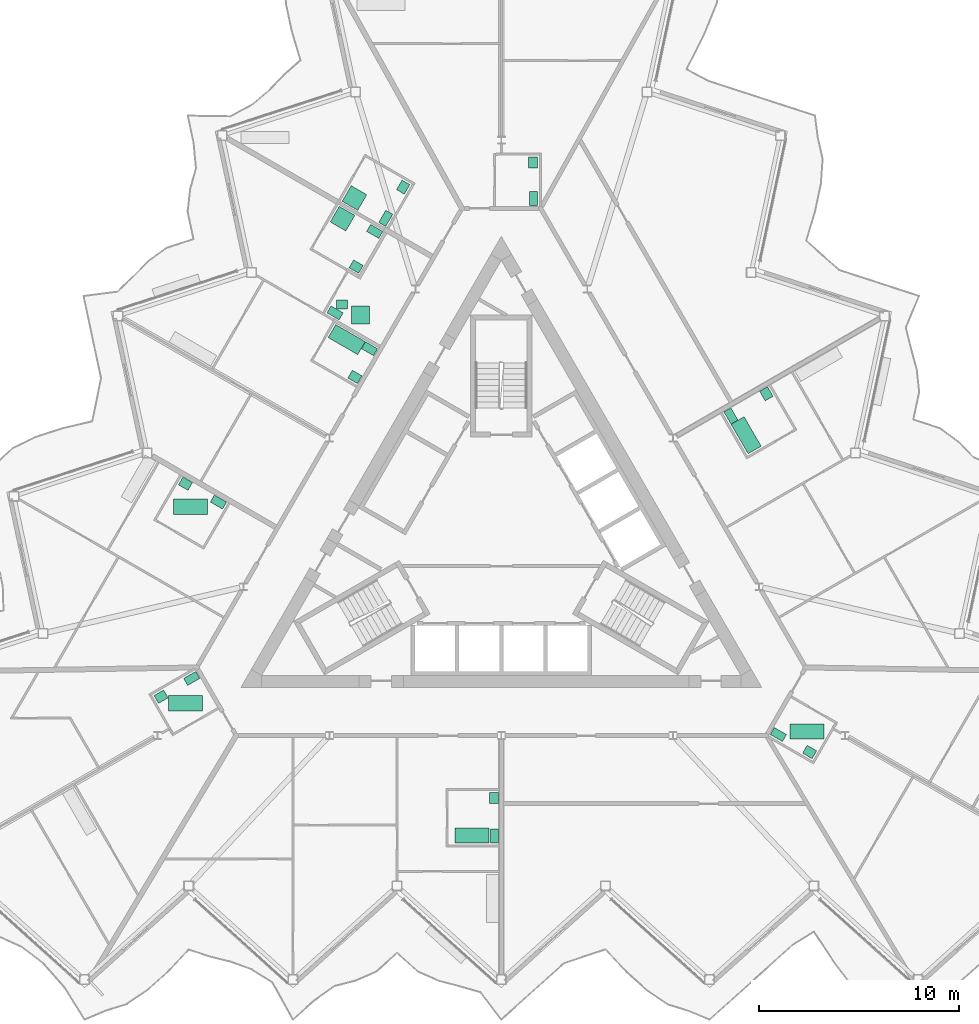
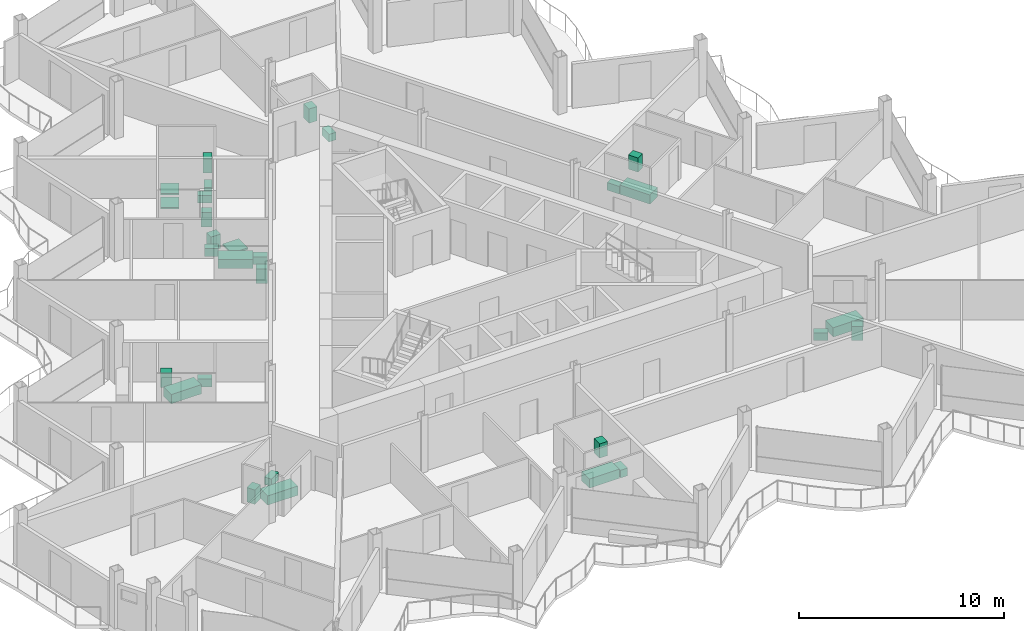
# One storey, part 25 of 26: 29 sanitary terminals.
"""IFC4 building model written with IfcOpenShell, lengths in metres."""

from ifc_helpers import new_model, si_unit, direction, frame, origin, origin_2d, place, context, subcontext, project, spatial, rectangle, extrude, material, type_object, element, save


model = new_model("IFC4")

# Units and contexts
model_context = context("Model", 3, precision=1e-05, world=origin(), true_north=direction((0.0, 1.0)))
body_context = subcontext(model_context, "Body", "Model", "MODEL_VIEW")
ifc_project = project(units=[si_unit("LENGTHUNIT", "METRE"), si_unit("AREAUNIT", "SQUARE_METRE"), si_unit("VOLUMEUNIT", "CUBIC_METRE"), si_unit("PLANEANGLEUNIT", "RADIAN"), si_unit("MASSUNIT", "GRAM", prefix="KILO")], contexts=[model_context])

# Site, building, storey
site_placement = place(None, origin())
site = spatial("IfcSite", under=ifc_project, at=site_placement, CompositionType="ELEMENT")
building_placement = place(site_placement, origin())
building = spatial("IfcBuilding", under=site, at=building_placement, Name="Cormorant Prow Tower", CompositionType="ELEMENT")
storey_placement = place(building_placement, frame((0.0, 0.0, 388.199951171875)))
storey = spatial("IfcBuildingStorey", under=building, at=storey_placement, Name="L88", CompositionType="ELEMENT", Elevation=388.199951171875)

# Sanitary terminals
ifc_material_1 = material(Name="Vitreous china")
sanitary_terminal_type_1 = type_object("IfcSanitaryTerminalType", Name="Bath 1700x750", PredefinedType="BATH", material=ifc_material_1)
for number, where, z_axis, x_axis, name in (
    (1, (-1.455078125, -14.885498046875, 0.0), (0.0, 0.0, 1.0), (1.0, 0.0, 0.0), "Bath"),
    (2, (15.2607421875, -9.70068359375, 0.0), (0.0, 0.0, 1.0), (1.0, 0.0, 0.0), "Bath"),
    (3, (12.219482421875, 5.086181640625, 0.0), (0.0, 0.0, 1.0), (-0.5, 0.866025403784, 0.0), "Bath"),
    (4, (-7.715087890625, 9.8583984375, 0.0), (0.0, 0.0, 1.0), (0.866025403784, -0.5, 0.0), "Bath"),
    (5, (-15.51171875, 1.515869140625, 0.0), (0.0, 0.0, 1.0), (1.0, 0.0, 0.0), "Bath"),
    (6, (-15.75244140625, -8.29248046875, 0.0), (0.0, 0.0, 1.0), (1.0, 0.0, 0.0), "Bath"),
):
    element("IfcSanitaryTerminal", number, at=place(storey_placement, frame(where, z_axis=z_axis, x_axis=x_axis)), inside=storey, type_object=sanitary_terminal_type_1, Name=name, PredefinedType="BATH", context=body_context, shape_type="SweptSolid", body=[
        extrude(rectangle(XDim=1.699951171875, YDim=0.75, at=origin_2d()), origin(), (0.0, 0.0, 1.0), 0.550048828125),
    ])
ifc_material_2 = material(Name="Vitreous china")
sanitary_terminal_type_2 = type_object("IfcSanitaryTerminalType", Name="Shower tray 900x900", PredefinedType="SHOWER", material=ifc_material_2)
for number, where, z_axis, x_axis, name in (
    (7, (-7.328857421875, 16.92724609375, 0.0), (0.0, 0.0, 1.0), (0.5, 0.866025403784, 0.0), "Shower tray"),
    (8, (-7.923828125, 15.896728515625, 0.0), (0.0, 0.0, 1.0), (0.866025403784, -0.5, 0.0), "Shower tray"),
    (9, (-7.01708984375, 11.0859375, 0.0), (0.0, 0.0, 1.0), (1.0, 0.0, 0.0), "Shower tray"),
):
    element("IfcSanitaryTerminal", number, at=place(storey_placement, frame(where, z_axis=z_axis, x_axis=x_axis)), inside=storey, type_object=sanitary_terminal_type_2, Name=name, PredefinedType="SHOWER", context=body_context, shape_type="SweptSolid", body=[
        extrude(rectangle(XDim=0.89990234375, YDim=0.89990234375, at=origin_2d()), origin(), (0.0, 0.0, 1.0), 0.10009765625),
    ])
ifc_material_3 = material(Name="Vitreous china")
sanitary_terminal_type_3 = type_object("IfcSanitaryTerminalType", Name="Wash basin 550x450", PredefinedType="WASHHANDBASIN", material=ifc_material_3)
for number, where, z_axis, x_axis, name in (
    (10, (-0.3701171875, -13.025634765625, 0.0), (0.0, 0.0, 1.0), (0.0, -1.0, 0.0), "Wash basin"),
    (11, (15.390380859375, -10.72509765625, 0.0), (0.0, 0.0, 1.0), (-0.866025403784, 0.5, 0.0), "Wash basin"),
    (12, (13.231201171875, 7.154052734375, 0.0), (0.0, 0.0, 1.0), (0.5, -0.866025403784, 0.0), "Wash basin"),
    (13, (1.593017578125, 18.691162109375, 0.0), (0.0, 0.0, 1.0), (0.0, -1.0, 0.0), "Wash basin"),
    (14, (-4.897216796875, 17.468994140625, 0.0), (0.0, 0.0, 1.0), (-0.5, -0.866025403784, 0.0), "Wash basin"),
    (15, (-7.30712890625, 7.99462890625, 0.0), (0.0, 0.0, 1.0), (-0.866025403784, 0.5, 0.0), "Wash basin"),
    (16, (-7.24560546875, 13.501708984375, 0.0), (0.0, 0.0, 1.0), (-0.866025403784, 0.5, 0.0), "Wash basin"),
    (17, (-7.942138671875, 11.61083984375, 0.0), (0.0, 0.0, 1.0), (1.0, 0.0, 0.0), "Wash basin"),
    (18, (-15.762939453125, 2.6689453125, 0.0), (0.0, 0.0, 1.0), (0.866025403784, -0.5, 0.0), "Wash basin"),
    (19, (-16.9833984375, -7.9658203125, 0.0), (0.0, 0.0, 1.0), (0.866025403784, 0.5, 0.0), "Wash basin"),
):
    element("IfcSanitaryTerminal", number, at=place(storey_placement, frame(where, z_axis=z_axis, x_axis=x_axis)), inside=storey, type_object=sanitary_terminal_type_3, Name=name, PredefinedType="WASHHANDBASIN", context=body_context, shape_type="SweptSolid", body=[
        extrude(rectangle(XDim=0.550048828125, YDim=0.449951171875, at=origin_2d()), origin(), (0.0, 0.0, 1.0), 0.85009765625),
    ])
ifc_material_4 = material(Name="Vitreous china")
sanitary_terminal_type_4 = type_object("IfcSanitaryTerminalType", Name="Water closet 400x700", PredefinedType="WCSEAT", material=ifc_material_4)
for number, where, z_axis, x_axis, name in (
    (20, (-0.344970703125, -14.91064453125, 0.0), (0.0, 0.0, 1.0), (-1.0, 0.0, 0.0), "Water closet"),
    (21, (13.83203125, -9.854248046875, 0.0), (0.0, 0.0, 1.0), (0.5, 0.866025403784, 0.0), "Water closet"),
    (22, (11.462890625, 6.046630859375, 0.0), (0.0, 0.0, 1.0), (0.866025403784, 0.5, 0.0), "Water closet"),
    (23, (1.617919921875, 16.906005859375, 0.0), (0.0, 0.0, 1.0), (-1.0, 0.0, 0.0), "Water closet"),
    (24, (-5.76806640625, 15.91064453125, 0.0), (0.0, 0.0, 1.0), (-0.866025403784, 0.5, 0.0), "Water closet"),
    (25, (-6.57958984375, 9.40478515625, 0.0), (0.0, 0.0, 1.0), (-0.5, -0.866025403784, 0.0), "Water closet"),
    (26, (-6.31787109375, 15.25830078125, 0.0), (0.0, 0.0, 1.0), (-0.5, -0.866025403784, 0.0), "Water closet"),
    (27, (-8.295654296875, 11.1923828125, 0.0), (0.0, 0.0, 1.0), (0.5, 0.866025403784, 0.0), "Water closet"),
    (28, (-14.117919921875, 1.748291015625, 0.0), (0.0, 0.0, 1.0), (-0.5, -0.866025403784, 0.0), "Water closet"),
    (29, (-15.4501953125, -7.0517578125, 0.0), (0.0, 0.0, 1.0), (0.5, -0.866025403784, 0.0), "Water closet"),
):
    element("IfcSanitaryTerminal", number, at=place(storey_placement, frame(where, z_axis=z_axis, x_axis=x_axis)), inside=storey, type_object=sanitary_terminal_type_4, Name=name, PredefinedType="WCSEAT", context=body_context, shape_type="SweptSolid", body=[
        extrude(rectangle(XDim=0.39990234375, YDim=0.699951171875, at=origin_2d()), origin(), (0.0, 0.0, 1.0), 0.449951171875),
    ])

save(model, "model.ifc")
